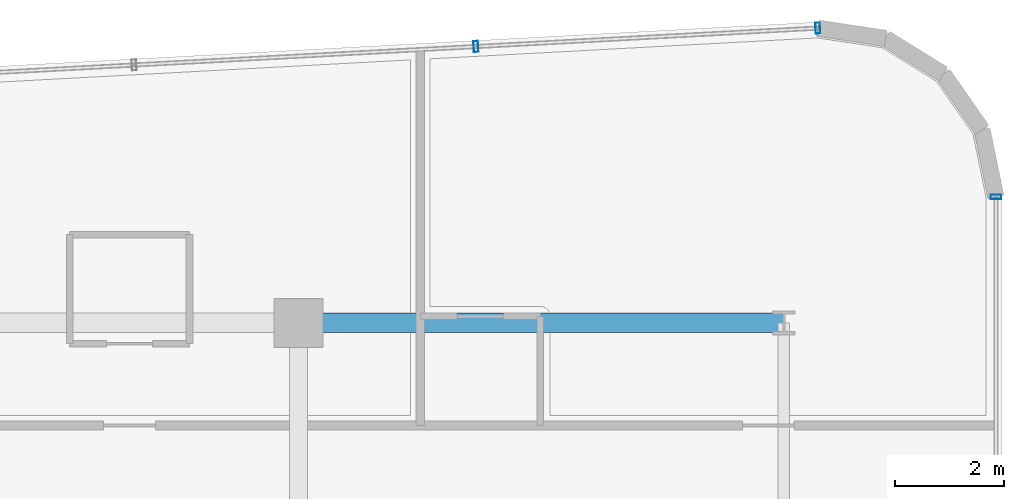
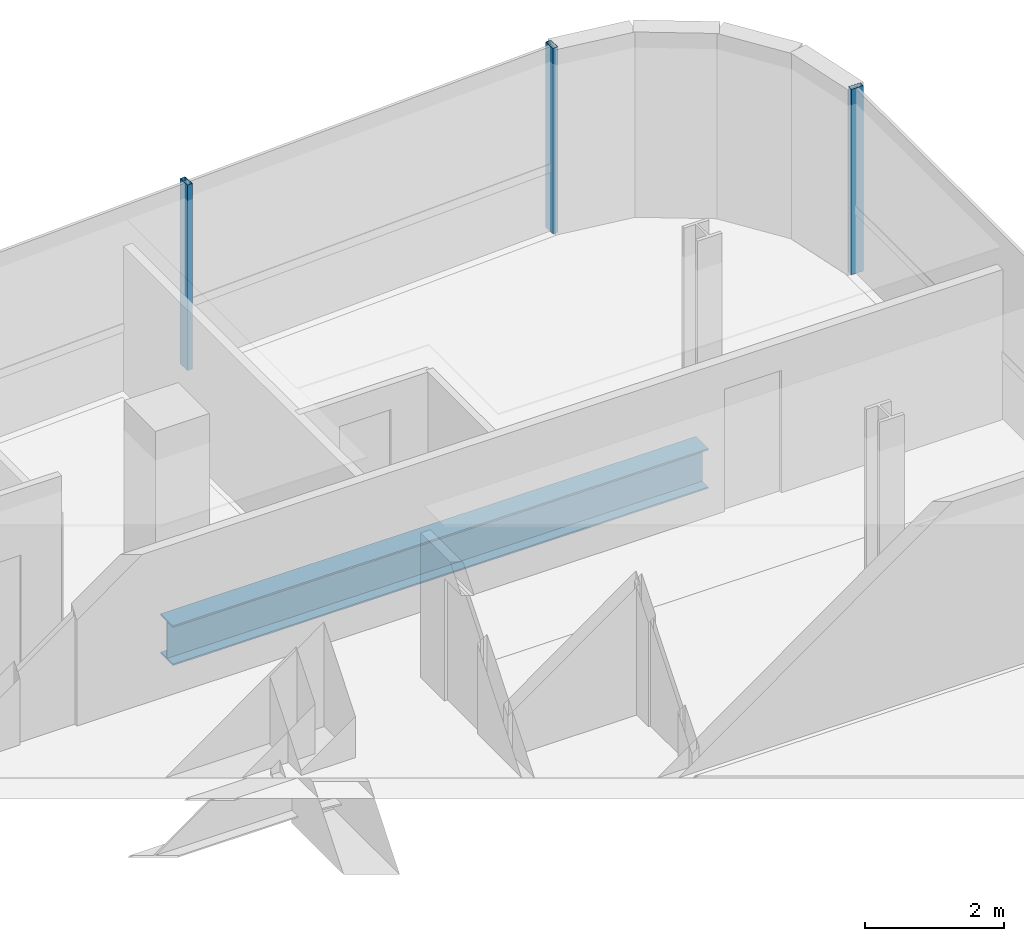
# One storey, part 14 of 22: 3 members, 1 beam, 2 elements without a shape of their own.
"""IFC4 building model written with IfcOpenShell, lengths in metres."""

from ifc_helpers import new_model, si_unit, direction, frame, origin, origin_2d, place, context, subcontext, project, spatial, hollow_rectangle, i_section, extrude, source, transform, mapped, material, material_profile, profile_set, type_object, element, aggregate, save


model = new_model("IFC4")

# Units and contexts
model_context = context("Model", 3, precision=1e-05, world=origin(), true_north=direction((0.0, 1.0)))
body_context = subcontext(model_context, "Body", "Model", "MODEL_VIEW")
ifc_project = project(units=[si_unit("LENGTHUNIT", "METRE"), si_unit("AREAUNIT", "SQUARE_METRE"), si_unit("VOLUMEUNIT", "CUBIC_METRE"), si_unit("PLANEANGLEUNIT", "RADIAN"), si_unit("MASSUNIT", "GRAM", prefix="KILO")], contexts=[model_context])

# Site, building, storey
site_placement = place(None, origin())
site = spatial("IfcSite", under=ifc_project, at=site_placement, CompositionType="ELEMENT")
building_placement = place(site_placement, origin())
building = spatial("IfcBuilding", under=site, at=building_placement, Name="Valdorenza Pilgrim Sanctuary Tower", CompositionType="ELEMENT")
storey_placement = place(building_placement, frame((0.0, 0.0, 212.5)))
storey = spatial("IfcBuildingStorey", under=building, at=storey_placement, Name="L54", CompositionType="ELEMENT", Elevation=212.5)

# Beam
ifc_material_1 = material(Name="Steel ASTM A992 Grade 50", Category="steel")
ifc_material_profile_1 = material_profile(ifc_material_1, i_section(OverallWidth=0.35595703125, OverallDepth=0.700927734375, WebThickness=0.016845703125, FlangeThickness=0.02734375, at=origin_2d()), Name="W27X161")
ifc_profile_set_1 = profile_set([ifc_material_profile_1], Name="Steel ASTM A992 Grade 50")
beam_type = type_object("IfcBeamType", Name="STR-BM-GRD-W27", PredefinedType="BEAM", material=ifc_profile_set_1)
shared_shape_1 = source(origin(), body_context, "Body", "SweptSolid", [
    extrude(i_section(OverallWidth=0.35595703125, OverallDepth=0.700927734375, WebThickness=0.016845703125, FlangeThickness=0.02734375, at=origin_2d()), origin(), (0.0, 0.0, 1.0), 8.89990234375),
])
beam_placement = place(storey_placement, frame((-12.39990234375, 14.800048828125, -0.590576171875), z_axis=(1.0, 0.0, 0.0), x_axis=(0.0, 1.0, 0.0)))
element("IfcBeam", 1, at=beam_placement, inside=storey, type_object=beam_type, Name="L54 Floor Girder UWA-KG2", PredefinedType="BEAM", context=body_context, shape_type="MappedRepresentation", body=[
    mapped(shared_shape_1, transform((0.0, 0.0, 0.0), x_axis=(1.0, 0.0, 0.0), y_axis=(0.0, 1.0, 0.0), z_axis=(0.0, 0.0, 1.0), scale=1.0)),
])

# Curtain wall, members
ifc_material_2 = material(Name="Curtain-wall IGU glazing", Category="glass")
curtain_wall_type = type_object("IfcCurtainWallType", Name="CW-SYS-02", PredefinedType="NOTDEFINED", material=ifc_material_2)
curtain_wall_1_placement = place(storey_placement, origin())
curtain_wall_1 = element("IfcCurtainWall", 2, at=curtain_wall_1_placement, inside=storey, type_object=curtain_wall_type, Name="L54 Curtain Wall CW-L54-1-6", PredefinedType="NOTDEFINED")
ifc_material_3 = material(Name="Anodised aluminium AW-6060", Category="aluminium")
ifc_material_profile_2 = material_profile(ifc_material_3, hollow_rectangle(XDim=0.0849609375, YDim=0.199951171875, WallThickness=0.0048828125, at=origin_2d()), Name="ALU-M 200x85x5")
ifc_profile_set_2 = profile_set([ifc_material_profile_2], Name="Anodised aluminium AW-6060")
member_type = type_object("IfcMemberType", Name="CW-MUL-02", PredefinedType="MULLION", material=ifc_profile_set_2)
shared_shape_2 = source(origin(), body_context, "Body", "SweptSolid", [
    extrude(hollow_rectangle(XDim=0.0849609375, YDim=0.199951171875, WallThickness=0.0048828125, at=origin_2d()), origin(), (0.0, 0.0, 1.0), 3.260009765625),
])
member_1_placement = place(storey_placement, frame((-9.147216796875, 19.869140625, 0.0), z_axis=(0.0, 0.0, 1.0), x_axis=(0.998547034311, 0.053887106711, 0.0)))
member_1 = element("IfcMember", 3, at=member_1_placement, type_object=member_type, Name="CW-L54-1-6 Mullion 4", PredefinedType="MULLION", context=body_context, shape_type="MappedRepresentation", body=[
    mapped(shared_shape_2, transform((0.0, 0.0, 0.0), x_axis=(1.0, 0.0, 0.0), y_axis=(0.0, 1.0, 0.0), z_axis=(0.0, 0.0, 1.0), scale=1.0)),
])
member_2_placement = place(storey_placement, frame((-2.877685546875, 20.20751953125, 0.0), z_axis=(0.0, 0.0, 1.0), x_axis=(0.998547034311, 0.053887106711, 0.0)))
member_2 = element("IfcMember", 4, at=member_2_placement, type_object=member_type, Name="CW-L54-1-6 Mullion 5", PredefinedType="MULLION", context=body_context, shape_type="MappedRepresentation", body=[
    mapped(shared_shape_2, transform((0.0, 0.0, 0.0), x_axis=(1.0, 0.0, 0.0), y_axis=(0.0, 1.0, 0.0), z_axis=(0.0, 0.0, 1.0), scale=1.0)),
])
aggregate(curtain_wall_1, [member_1, member_2])

# Curtain wall, member
curtain_wall_2_placement = place(storey_placement, origin())
curtain_wall_2 = element("IfcCurtainWall", 5, at=curtain_wall_2_placement, inside=storey, type_object=curtain_wall_type, Name="L54 Curtain Wall CW-L54-1-11", PredefinedType="NOTDEFINED")
member_3_placement = place(storey_placement, frame((0.389892578125, 17.111328125, 0.0), z_axis=(0.0, 0.0, 1.0), x_axis=(0.0, -1.0, 0.0)))
member_3 = element("IfcMember", 6, at=member_3_placement, type_object=member_type, Name="CW-L54-1-11 Mullion 1", PredefinedType="MULLION", context=body_context, shape_type="MappedRepresentation", body=[
    mapped(shared_shape_2, transform((0.0, 0.0, 0.0), x_axis=(1.0, 0.0, 0.0), y_axis=(0.0, 1.0, 0.0), z_axis=(0.0, 0.0, 1.0), scale=1.0)),
])
aggregate(curtain_wall_2, [member_3])

save(model, "model.ifc")
